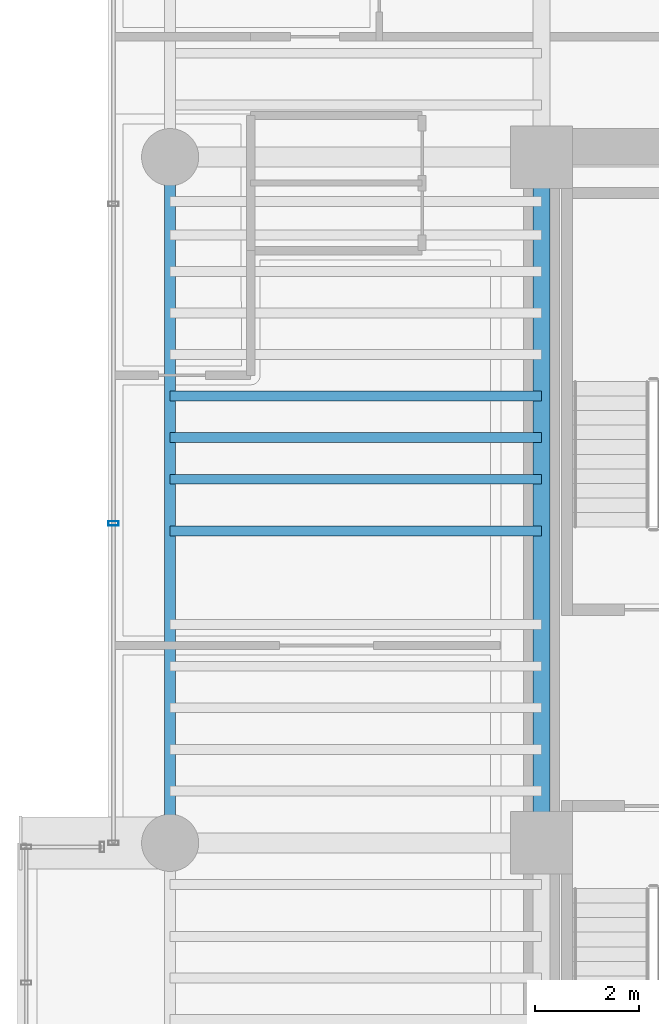
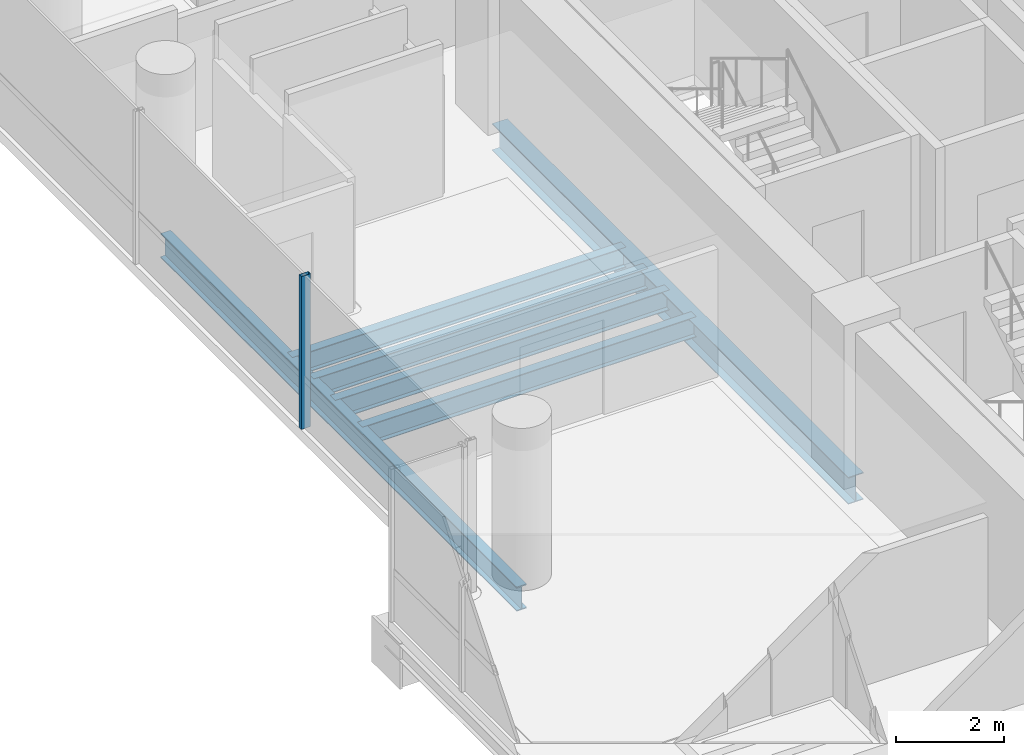
# One storey, part 7 of 38: 6 beams, 1 member, 1 element without a shape of its own.
"""IFC4 building model written with IfcOpenShell, lengths in metres."""

from ifc_helpers import new_model, si_unit, direction, frame, origin, origin_2d, place, context, subcontext, project, spatial, hollow_rectangle, i_section, extrude, source, transform, mapped, material, material_profile, profile_set, type_object, element, aggregate, save


model = new_model("IFC4")

# Units and contexts
model_context = context("Model", 3, precision=1e-05, world=origin(), true_north=direction((0.0, 1.0)))
body_context = subcontext(model_context, "Body", "Model", "MODEL_VIEW")
ifc_project = project(units=[si_unit("LENGTHUNIT", "METRE"), si_unit("AREAUNIT", "SQUARE_METRE"), si_unit("VOLUMEUNIT", "CUBIC_METRE"), si_unit("PLANEANGLEUNIT", "RADIAN"), si_unit("MASSUNIT", "GRAM", prefix="KILO")], contexts=[model_context])

# Site, building, storey
site_placement = place(None, origin())
site = spatial("IfcSite", under=ifc_project, at=site_placement, CompositionType="ELEMENT")
building_placement = place(site_placement, origin())
building = spatial("IfcBuilding", under=site, at=building_placement, Name="Valdorenza Pilgrim Sanctuary Tower", CompositionType="ELEMENT")
storey_placement = place(building_placement, frame((0.0, 0.0, 131.60009765625)))
storey = spatial("IfcBuildingStorey", under=building, at=storey_placement, Name="L33", CompositionType="ELEMENT", Elevation=131.60009765625)

# Beams
ifc_material_1 = material(Name="Steel ASTM A992 Grade 50", Category="steel")
ifc_material_profile_1 = material_profile(ifc_material_1, i_section(OverallWidth=0.214111328125, OverallDepth=0.549072265625, WebThickness=0.0146484375, FlangeThickness=0.023681640625, at=origin_2d()), Name="W21X93")
ifc_profile_set_1 = profile_set([ifc_material_profile_1], Name="Steel ASTM A992 Grade 50")
beam_type_1 = type_object("IfcBeamType", Name="STR-BM-SPN-W21A", PredefinedType="SPANDREL", material=ifc_profile_set_1)
shared_shape_1 = source(origin(), body_context, "Body", "SweptSolid", [
    extrude(i_section(OverallWidth=0.214111328125, OverallDepth=0.549072265625, WebThickness=0.0146484375, FlangeThickness=0.023681640625, at=origin_2d()), origin(), (0.0, 0.0, 1.0), 13.2001953125),
])
beam_1_placement = place(storey_placement, frame((-29.800048828125, -2.60009765625, -0.5146484375), z_axis=(0.0, 1.0, 0.0), x_axis=(-1.0, 0.0, 0.0)))
element("IfcBeam", 1, at=beam_1_placement, inside=storey, type_object=beam_type_1, Name="L33 Spandrel Beam WA-W-M0N1", PredefinedType="SPANDREL", context=body_context, shape_type="MappedRepresentation", body=[
    mapped(shared_shape_1, transform((0.0, 0.0, 0.0), x_axis=(1.0, 0.0, 0.0), y_axis=(0.0, 1.0, 0.0), z_axis=(0.0, 0.0, 1.0), scale=1.0)),
])
ifc_material_profile_2 = material_profile(ifc_material_1, i_section(OverallWidth=0.323974609375, OverallDepth=0.611083984375, WebThickness=0.0126953125, FlangeThickness=0.01904296875, at=origin_2d()), Name="W24X104")
ifc_profile_set_2 = profile_set([ifc_material_profile_2], Name="Steel ASTM A992 Grade 50")
beam_type_2 = type_object("IfcBeamType", Name="STR-BM-GRD-W24B", PredefinedType="BEAM", material=ifc_profile_set_2)
shared_shape_2 = source(origin(), body_context, "Body", "SweptSolid", [
    extrude(i_section(OverallWidth=0.323974609375, OverallDepth=0.611083984375, WebThickness=0.0126953125, FlangeThickness=0.01904296875, at=origin_2d()), origin(), (0.0, 0.0, 1.0), 13.2001953125),
])
beam_2_placement = place(storey_placement, frame((-22.64990234375, -2.60009765625, -0.545654296875), z_axis=(0.0, 1.0, 0.0), x_axis=(-1.0, 0.0, 0.0)))
element("IfcBeam", 2, at=beam_2_placement, inside=storey, type_object=beam_type_2, Name="L33 Core Tie Girder CA-W-M0N1", PredefinedType="BEAM", context=body_context, shape_type="MappedRepresentation", body=[
    mapped(shared_shape_2, transform((0.0, 0.0, 0.0), x_axis=(1.0, 0.0, 0.0), y_axis=(0.0, 1.0, 0.0), z_axis=(0.0, 0.0, 1.0), scale=1.0)),
])
ifc_material_profile_3 = material_profile(ifc_material_1, i_section(OverallWidth=0.19091796875, OverallDepth=0.45703125, WebThickness=0.009033203125, FlangeThickness=0.014404296875, at=origin_2d()), Name="W18X50")
ifc_profile_set_3 = profile_set([ifc_material_profile_3], Name="Steel ASTM A992 Grade 50")
beam_type_3 = type_object("IfcBeamType", Name="STR-BM-JST-W18B", PredefinedType="JOIST", material=ifc_profile_set_3)
shared_shape_3 = source(origin(), body_context, "Body", "SweptSolid", [
    extrude(i_section(OverallWidth=0.19091796875, OverallDepth=0.45703125, WebThickness=0.009033203125, FlangeThickness=0.014404296875, at=origin_2d()), origin(), (0.0, 0.0, 1.0), 7.150146484375),
])
for number, where, z_axis, x_axis, name in (
    (3, (-29.800048828125, 3.39990234375, -0.468505859375), (1.0, 0.0, 0.0), (0.0, 1.0, 0.0), "L33 Composite Floor Joist JST-WA-15"),
    (4, (-29.800048828125, 4.39990234375, -0.468505859375), (1.0, 0.0, 0.0), (0.0, 1.0, 0.0), "L33 Composite Floor Joist JST-WA-16"),
    (5, (-29.800048828125, 5.199951171875, -0.468505859375), (1.0, 0.0, 0.0), (0.0, 1.0, 0.0), "L33 Composite Floor Joist JST-WA-17"),
    (6, (-29.800048828125, 6.0, -0.468505859375), (1.0, 0.0, 0.0), (0.0, 1.0, 0.0), "L33 Composite Floor Joist JST-WA-18"),
):
    element("IfcBeam", number, at=place(storey_placement, frame(where, z_axis=z_axis, x_axis=x_axis)), inside=storey, type_object=beam_type_3, Name=name, PredefinedType="JOIST", context=body_context, shape_type="MappedRepresentation", body=[
        mapped(shared_shape_3, transform((0.0, 0.0, 0.0), x_axis=(1.0, 0.0, 0.0), y_axis=(0.0, 1.0, 0.0), z_axis=(0.0, 0.0, 1.0), scale=1.0)),
    ])

# Curtain wall, member
ifc_material_2 = material(Name="Curtain-wall IGU glazing", Category="glass")
curtain_wall_type = type_object("IfcCurtainWallType", Name="CW-SYS-02", PredefinedType="NOTDEFINED", material=ifc_material_2)
curtain_wall_placement = place(storey_placement, origin())
curtain_wall = element("IfcCurtainWall", 7, at=curtain_wall_placement, inside=storey, type_object=curtain_wall_type, Name="L33 Curtain Wall CW-L33-1-1S2", PredefinedType="NOTDEFINED")
ifc_material_3 = material(Name="Anodised aluminium AW-6060", Category="aluminium")
ifc_material_profile_4 = material_profile(ifc_material_3, hollow_rectangle(XDim=0.0849609375, YDim=0.199951171875, WallThickness=0.0048828125, at=origin_2d()), Name="ALU-M 200x85x5")
ifc_profile_set_4 = profile_set([ifc_material_profile_4], Name="Anodised aluminium AW-6060")
member_type = type_object("IfcMemberType", Name="CW-MUL-02", PredefinedType="MULLION", material=ifc_profile_set_4)
shared_shape_4 = source(origin(), body_context, "Body", "SweptSolid", [
    extrude(hollow_rectangle(XDim=0.0849609375, YDim=0.199951171875, WallThickness=0.0048828125, at=origin_2d()), origin(), (0.0, 0.0, 1.0), 3.4599609375),
])
member_placement = place(storey_placement, frame((-30.889892578125, 3.550048828125, 0.0), z_axis=(0.0, 0.0, 1.0), x_axis=(0.0, 1.0, 0.0)))
member = element("IfcMember", 8, at=member_placement, type_object=member_type, Name="CW-L33-1-1S2 Mullion 2", PredefinedType="MULLION", context=body_context, shape_type="MappedRepresentation", body=[
    mapped(shared_shape_4, transform((0.0, 0.0, 0.0), x_axis=(1.0, 0.0, 0.0), y_axis=(0.0, 1.0, 0.0), z_axis=(0.0, 0.0, 1.0), scale=1.0)),
])
aggregate(curtain_wall, [member])

save(model, "model.ifc")
